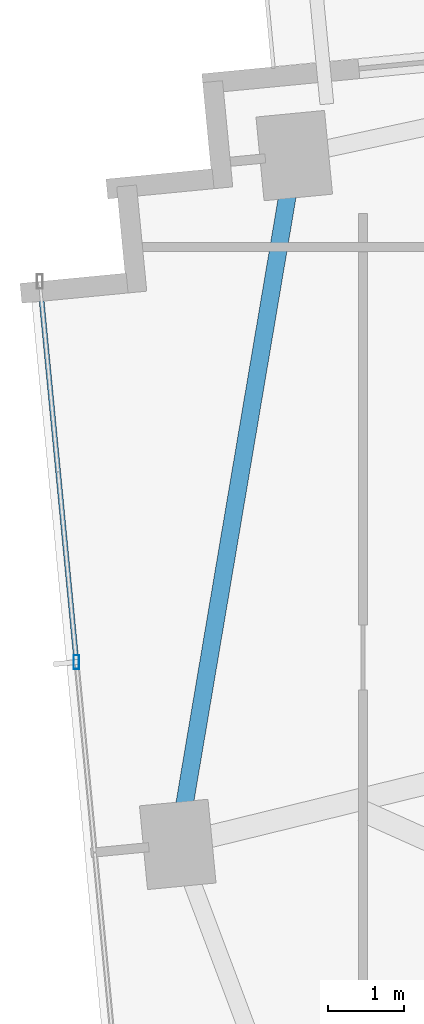
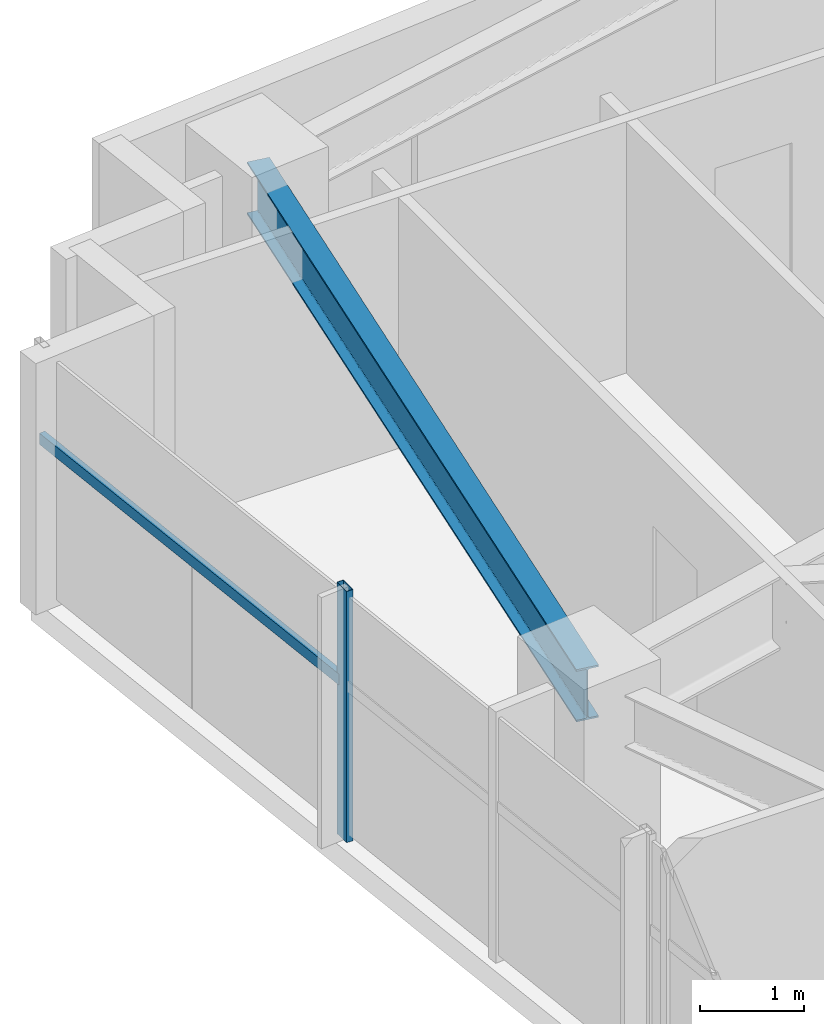
# One storey, part 4 of 25: 2 members, 1 beam, 1 element without a shape of its own.
"""IFC4 building model written with IfcOpenShell, lengths in metres."""

from ifc_helpers import new_model, si_unit, direction, frame, origin, origin_2d, place, context, subcontext, project, spatial, hollow_rectangle, i_section, extrude, source, transform, mapped, material, material_profile, profile_set, type_object, type_shapes, element, aggregate, save


model = new_model("IFC4")

# Units and contexts
model_context = context("Model", 3, precision=1e-05, world=origin(), true_north=direction((0.0, 1.0)))
body_context = subcontext(model_context, "Body", "Model", "MODEL_VIEW")
ifc_project = project(units=[si_unit("LENGTHUNIT", "METRE"), si_unit("AREAUNIT", "SQUARE_METRE"), si_unit("VOLUMEUNIT", "CUBIC_METRE"), si_unit("PLANEANGLEUNIT", "RADIAN"), si_unit("MASSUNIT", "GRAM", prefix="KILO")], contexts=[model_context])

# Site, building, storey
site_placement = place(None, origin())
site = spatial("IfcSite", under=ifc_project, at=site_placement, CompositionType="ELEMENT")
building_placement = place(site_placement, origin())
building = spatial("IfcBuilding", under=site, at=building_placement, Name="Astriad Promenade Condominiums", CompositionType="ELEMENT")
storey_placement = place(building_placement, frame((0.0, 0.0, 106.60009765625)))
storey = spatial("IfcBuildingStorey", under=building, at=storey_placement, Name="L30", CompositionType="ELEMENT", Elevation=106.60009765625)

# Beam
ifc_material_1 = material(Name="Steel ASTM A992 Grade 50", Category="steel")
ifc_material_profile_1 = material_profile(ifc_material_1, i_section(OverallWidth=0.22900390625, OverallDepth=0.612060546875, WebThickness=0.011962890625, FlangeThickness=0.01953125, FilletRadius=0.017822265625, at=origin_2d()), Name="W24X84")
ifc_profile_set_1 = profile_set([ifc_material_profile_1], Name="Steel ASTM A992 Grade 50")
beam_type = type_object("IfcBeamType", Name="STEEL SPANDREL BEAM W24X84", PredefinedType="SPANDREL", material=ifc_profile_set_1)
shared_shape_1 = source(origin(), body_context, "Body", "SweptSolid", [
    extrude(i_section(OverallWidth=0.22900390625, OverallDepth=0.612060546875, WebThickness=0.011962890625, FlangeThickness=0.01953125, FilletRadius=0.017822265625, at=origin_2d()), origin(), (0.0, 0.0, 1.0), 9.055419921875),
])
type_shapes(beam_type, [shared_shape_1])
beam_placement = place(storey_placement, frame((12.2685546875, 22.52880859375, 2.6337890625), z_axis=(-0.166776851291, -0.98599466625, 0.0), x_axis=(0.98599466625, -0.166776851291, 0.0)))
element("IfcBeam", 1, at=beam_placement, inside=storey, type_object=beam_type, Name="Perimeter Spandrel Beam SP-W2-L30", PredefinedType="SPANDREL", context=body_context, shape_type="MappedRepresentation", body=[
    mapped(shared_shape_1, transform((0.0, 0.0, 0.0), scale=1.0)),
])

# Curtain wall, members
ifc_material_2 = material(Name="Anodised aluminium Black Dark Glass Unitised", Category="aluminium")
curtain_wall_type = type_object("IfcCurtainWallType", Name="CW-B2-DARK", PredefinedType="USERDEFINED", material=ifc_material_2)
curtain_wall_placement = place(storey_placement, origin())
curtain_wall = element("IfcCurtainWall", 2, at=curtain_wall_placement, inside=storey, type_object=curtain_wall_type, Name="CW-L30-W", ObjectType="UNITISED_CURTAIN_WALL", PredefinedType="USERDEFINED")
ifc_material_3 = material(Name="Anodised aluminium 6063-T6 Black", Category="aluminium")
ifc_material_profile_2 = material_profile(ifc_material_3, hollow_rectangle(XDim=0.074951171875, YDim=0.18505859375, WallThickness=0.00439453125, at=origin_2d()), Name="ALU-MUL-75X185")
ifc_profile_set_2 = profile_set([ifc_material_profile_2], Name="Anodised aluminium 6063-T6 Black")
member_type_1 = type_object("IfcMemberType", Name="MUL-ALU-MUL-75X185", PredefinedType="MULLION", material=ifc_profile_set_2)
shared_shape_2 = source(origin(), body_context, "Body", "SweptSolid", [
    extrude(hollow_rectangle(XDim=0.074951171875, YDim=0.18505859375, WallThickness=0.00439453125, at=origin_2d()), origin(), (0.0, 0.0, 1.0), 2.93994140625),
])
type_shapes(member_type_1, [shared_shape_2])
member_1_placement = place(storey_placement, frame((9.427001953125, 15.94482421875, 0.0), z_axis=(0.0, 0.0, 1.0), x_axis=(1.0, 0.0, 0.0)))
member_1 = element("IfcMember", 3, at=member_1_placement, type_object=member_type_1, Name="CW-L30-W-MUL-02", PredefinedType="MULLION", context=body_context, shape_type="MappedRepresentation", body=[
    mapped(shared_shape_2, transform((0.0, 0.0, 0.0), scale=1.0)),
])
ifc_material_profile_3 = material_profile(ifc_material_3, hollow_rectangle(XDim=0.06494140625, YDim=0.1298828125, WallThickness=0.00390625, at=origin_2d()), Name="ALU-TRN-65X130")
ifc_profile_set_3 = profile_set([ifc_material_profile_3], Name="Anodised aluminium 6063-T6 Black")
member_type_2 = type_object("IfcMemberType", Name="TRN-ALU-TRN-65X130", PredefinedType="USERDEFINED", material=ifc_profile_set_3)
shared_shape_3 = source(origin(), body_context, "Body", "SweptSolid", [
    extrude(hollow_rectangle(XDim=0.06494140625, YDim=0.1298828125, WallThickness=0.00390625, at=origin_2d()), origin(), (0.0, 0.0, 1.0), 5.0),
])
type_shapes(member_type_2, [shared_shape_3])
member_2_placement = place(storey_placement, frame((9.427001953125, 15.94482421875, 1.82275390625), z_axis=(-0.095848242264, 0.995395958629, 0.0), x_axis=(-0.995395958629, -0.095848242264, 0.0)))
member_2 = element("IfcMember", 4, at=member_2_placement, type_object=member_type_2, Name="CW-L30-W-TRN-02-0", ObjectType="TRANSOM", PredefinedType="USERDEFINED", context=body_context, shape_type="MappedRepresentation", body=[
    mapped(shared_shape_3, transform((0.0, 0.0, 0.0), scale=1.0)),
])
aggregate(curtain_wall, [member_1, member_2])

save(model, "model.ifc")
